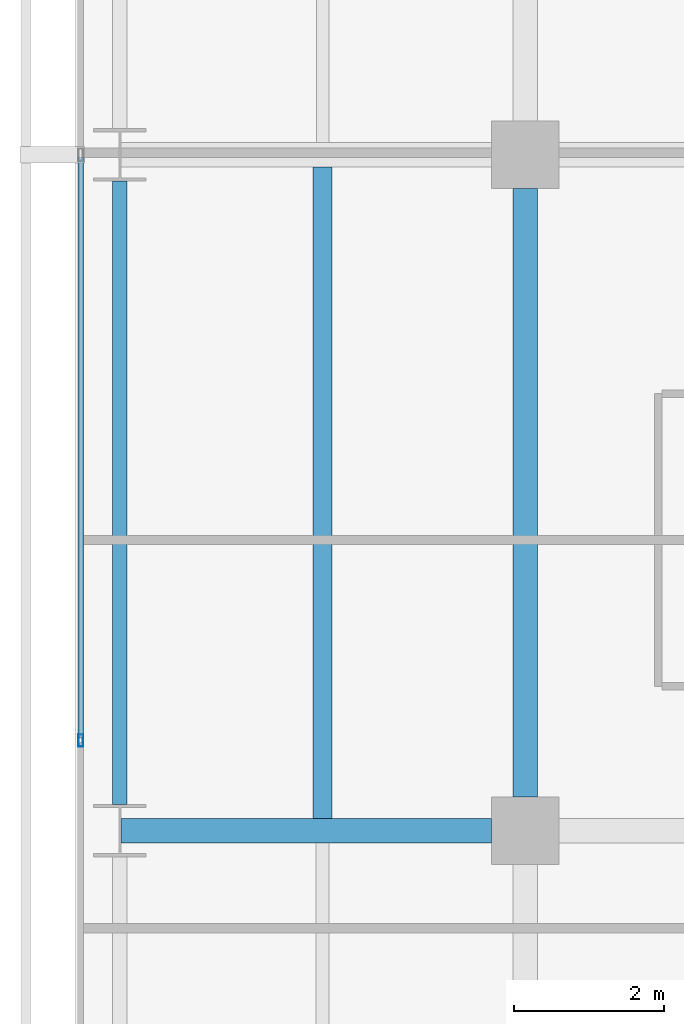
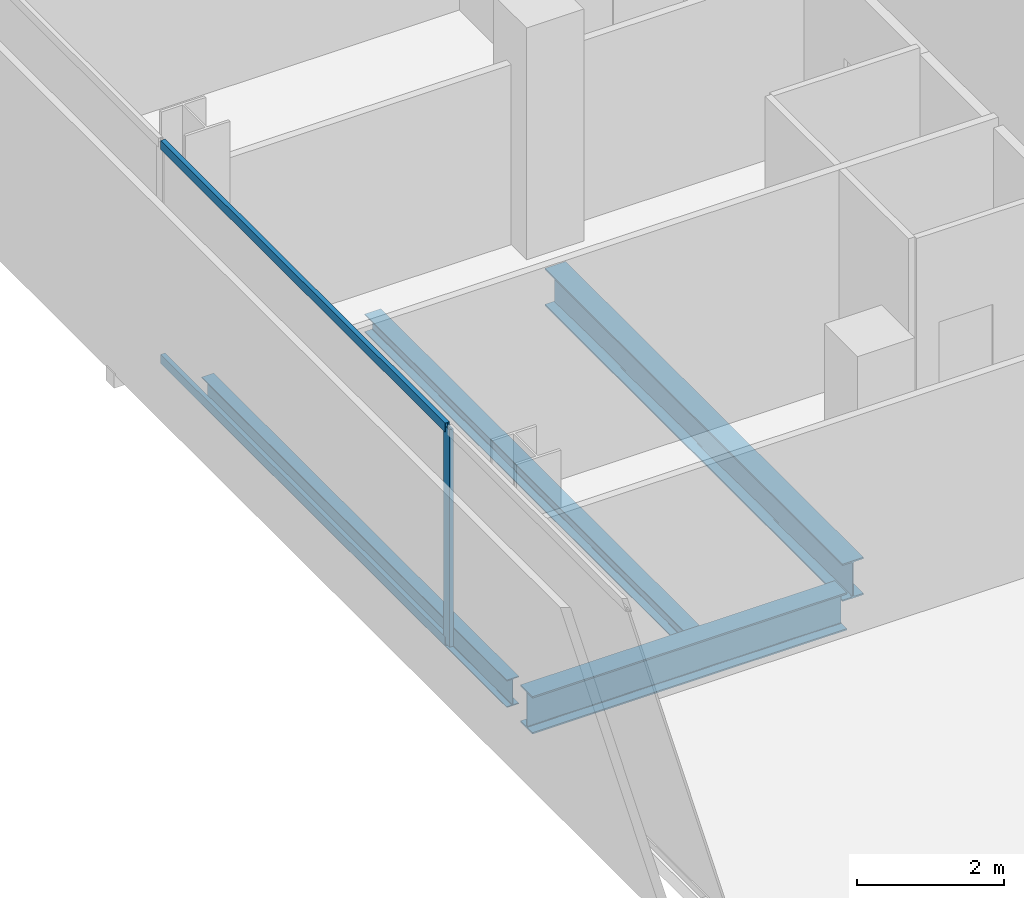
# One storey, part 10 of 40: 4 beams, 3 members, 1 element without a shape of its own.
"""IFC4 building model written with IfcOpenShell, lengths in metres."""

import ifcopenshell
import ifcopenshell.guid

model = None  # the IFC model being written
_history = None  # IfcOwnerHistory: only IFC2X3 demands one
_inside = {}  # id of a spatial element -> (the spatial element, [elements in it])
_under = {}  # id of a project, library or spatial element -> (it, [spatial elements below it])
_declared = {}  # id of a project -> (the project, [libraries it declares])
_typed = {}  # id of a type object -> (the type object, [elements of that type])
_made_of = {}  # id of a material, layer set ... -> (it, [elements and type objects made of it])


def new_model(schema):
    """Start an empty IFC model of exactly this schema.

    Asked for "IFC4X3", IfcOpenShell would pick the latest addendum, in which some entities
    have other attributes; the version numbers below select the first issue.
    IFC2X3 requires an IfcOwnerHistory on every rooted entity: one is made here for all.
    """
    global model, _history
    if schema == "IFC4X3":
        model = ifcopenshell.file(schema_version=(4, 3, 0, 0))
    else:
        model = ifcopenshell.file(schema=schema)
    _inside.clear()
    _under.clear()
    _declared.clear()
    _typed.clear()
    _made_of.clear()
    _history = None
    if model.schema == "IFC2X3":
        org = make("IfcOrganization", Name="unknown")
        user = make(
            "IfcPersonAndOrganization",
            ThePerson=make("IfcPerson", FamilyName="unknown"),
            TheOrganization=org,
        )
        app = make(
            "IfcApplication",
            ApplicationDeveloper=org,
            Version="unknown",
            ApplicationFullName="unknown",
            ApplicationIdentifier="unknown",
        )
        _history = make(
            "IfcOwnerHistory",
            OwningUser=user,
            OwningApplication=app,
            ChangeAction="ADDED",
            CreationDate=0,
        )
    return model


def make(cls, **values):
    """One entity of the class cls with the attributes given. An attribute that is None is left unset."""
    return model.create_entity(
        cls, **{name: value for name, value in values.items() if value is not None}
    )


def rooted(cls, **values):
    """An entity with a GlobalId (a new one), such as an element, a storey or a relation."""
    return make(cls, GlobalId=ifcopenshell.guid.new(), OwnerHistory=_history, **values)


def si_unit(unit_type, name, prefix=None):
    """IfcSIUnit, for example si_unit("LENGTHUNIT", "METRE", prefix="MILLI")."""
    return make("IfcSIUnit", UnitType=unit_type, Prefix=prefix, Name=name)


def assignment(units):
    """IfcUnitAssignment: the units of a project."""
    return None if units is None else make("IfcUnitAssignment", Units=units)


def point(xyz):
    """IfcCartesianPoint."""
    return None if xyz is None else make("IfcCartesianPoint", Coordinates=xyz)


def direction(xyz):
    """IfcDirection."""
    return None if xyz is None else make("IfcDirection", DirectionRatios=xyz)


def frame(location, z_axis=None, x_axis=None):
    """IfcAxis2Placement3D, a coordinate frame: its origin and axes. An axis left out is left unset."""
    return make(
        "IfcAxis2Placement3D",
        Location=point(location),
        Axis=direction(z_axis),
        RefDirection=direction(x_axis),
    )


def frame_2d(location, x_axis=None):
    """IfcAxis2Placement2D, a coordinate frame in the plane: its origin and x axis."""
    return make(
        "IfcAxis2Placement2D", Location=point(location), RefDirection=direction(x_axis)
    )


def origin():
    """The frame at (0, 0, 0) with its axes left unset."""
    return frame((0.0, 0.0, 0.0))


def origin_2d():
    """The frame at (0, 0) in the plane with its x axis left unset."""
    return frame_2d((0.0, 0.0))


def place(relative_to, where):
    """IfcLocalPlacement: puts the frame where relative to a parent placement (None: the world)."""
    return make(
        "IfcLocalPlacement", PlacementRelTo=relative_to, RelativePlacement=where
    )


def context(
    kind, dimensions, precision=None, world=None, true_north=None, identifier=None
):
    """IfcGeometricRepresentationContext, for example the 3D "Model" context."""
    return make(
        "IfcGeometricRepresentationContext",
        ContextIdentifier=identifier,
        ContextType=kind,
        CoordinateSpaceDimension=dimensions,
        Precision=precision,
        WorldCoordinateSystem=world,
        TrueNorth=true_north,
    )


def subcontext(parent, identifier, kind, view, scale=None):
    """IfcGeometricRepresentationSubContext, for example "Body" below "Model"."""
    return make(
        "IfcGeometricRepresentationSubContext",
        ContextIdentifier=identifier,
        ContextType=kind,
        ParentContext=parent,
        TargetScale=scale,
        TargetView=view,
    )


def project(units=None, contexts=None):
    """IfcProject with its units and contexts."""
    return rooted(
        "IfcProject",
        Name="project",
        RepresentationContexts=contexts,
        UnitsInContext=assignment(units),
    )


def spatial(cls, under=None, at=None, **own):
    """A site, building, storey or space (cls), placed at a placement, below another one or the project."""
    s = rooted(cls, ObjectPlacement=at, **own)
    if under is not None:
        _under.setdefault(under.id(), (under, []))[1].append(s)
    return s


def profile(cls, at=None, kind="AREA", **sizes):
    """A parametric profile (cls). Its sizes go by their IFC names, for example OverallWidth=200.0."""
    return make(cls, ProfileType=kind, Position=at, **sizes)


def hollow_rectangle(**sizes):
    """IfcRectangleHollowProfileDef."""
    return profile("IfcRectangleHollowProfileDef", **sizes)


def i_section(**sizes):
    """IfcIShapeProfileDef."""
    return profile("IfcIShapeProfileDef", **sizes)


def extrude(swept, where, along, depth):
    """IfcExtrudedAreaSolid: the profile swept, set in the frame where, extruded along a direction by depth."""
    return make(
        "IfcExtrudedAreaSolid",
        SweptArea=swept,
        Position=where,
        ExtrudedDirection=direction(along),
        Depth=depth,
    )


def shape(context_of_items, identifier, shape_type, items):
    """IfcShapeRepresentation: the items that make up one representation, for example the "Body"."""
    return make(
        "IfcShapeRepresentation",
        ContextOfItems=context_of_items,
        RepresentationIdentifier=identifier,
        RepresentationType=shape_type,
        Items=items,
    )


def material(Name=None, Category=None):
    """IfcMaterial."""
    return make("IfcMaterial", Name=Name, Category=Category)


def layer(
    of_material, thickness, ventilated=None, Name=None, Category=None, Priority=None
):
    """IfcMaterialLayer: one layer of a wall or slab, of a material (None: an air gap)."""
    return make(
        "IfcMaterialLayer",
        Material=of_material,
        LayerThickness=thickness,
        IsVentilated=ventilated,
        Name=Name,
        Category=Category,
        Priority=Priority,
    )


def layer_set(layers, Name=None):
    """IfcMaterialLayerSet."""
    return make("IfcMaterialLayerSet", MaterialLayers=layers, LayerSetName=Name)


def material_profile(
    of_material, cross_section, Name=None, Category=None, Priority=None
):
    """IfcMaterialProfile: a cross section and its material."""
    return make(
        "IfcMaterialProfile",
        Name=Name,
        Material=of_material,
        Profile=cross_section,
        Priority=Priority,
        Category=Category,
    )


def profile_set(profiles, Name=None, composite=None):
    """IfcMaterialProfileSet."""
    return make(
        "IfcMaterialProfileSet",
        Name=Name,
        MaterialProfiles=profiles,
        CompositeProfile=composite,
    )


def made_of(thing, what):
    """Note that an element or type object is made of a material, layer set ...; save() writes the relation."""
    if what is not None:
        _made_of.setdefault(what.id(), (what, []))[1].append(thing)
    return thing


def type_object(cls, material=None, **own):
    """A type object (cls), such as IfcWallType, which elements share."""
    return made_of(rooted(cls, **own), material)


def element(
    cls,
    number,
    at=None,
    inside=None,
    cuts=None,
    type_object=None,
    material=None,
    context=None,
    identifier="Body",
    shape_type=None,
    held_by="IfcProductDefinitionShape",
    body=None,
    shapes=None,
    **own,
):
    """One element of the class cls, such as IfcWall. Its Tag is "e" and its number.

    at: its placement. inside: the storey or other place that contains it. cuts: it is an
    opening in that element (IfcRelVoidsElement). A single representation is given by context,
    identifier, shape_type and body (its items); several are given by shapes. held_by: the class
    of the entity that holds the representations. save() writes the other relations.
    """
    e = rooted(cls, Tag="e%d" % number, ObjectPlacement=at, **own)
    if body is not None:
        shapes = [shape(context, identifier, shape_type, body)]
    if shapes is not None:
        e.Representation = make(held_by, Representations=shapes)
    if inside is not None:
        _inside.setdefault(inside.id(), (inside, []))[1].append(e)
    if cuts is not None:
        rooted(
            "IfcRelVoidsElement", RelatingBuildingElement=cuts, RelatedOpeningElement=e
        )
    if type_object is not None:
        _typed.setdefault(type_object.id(), (type_object, []))[1].append(e)
    return made_of(e, material)


def aggregate(whole, parts):
    """IfcRelAggregates: a whole, such as a stair, and the parts it consists of."""
    return rooted("IfcRelAggregates", RelatingObject=whole, RelatedObjects=parts)


def save(model, path):
    """Write the relations noted so far, then the file.

    IfcRelAggregates (storeys below a building ...), IfcRelContainedInSpatialStructure (elements
    in a storey), IfcRelDefinesByType, IfcRelAssociatesMaterial and IfcRelDeclares: one each for
    every whole, place, type object, material and project.
    """
    for whole, parts in _under.values():
        aggregate(whole, parts)
    for where, things in _inside.values():
        rooted(
            "IfcRelContainedInSpatialStructure",
            RelatedElements=things,
            RelatingStructure=where,
        )
    for kind, things in _typed.values():
        rooted("IfcRelDefinesByType", RelatedObjects=things, RelatingType=kind)
    for what, things in _made_of.values():
        rooted("IfcRelAssociatesMaterial", RelatedObjects=things, RelatingMaterial=what)
    for by, libraries in _declared.values():
        rooted("IfcRelDeclares", RelatingContext=by, RelatedDefinitions=libraries)
    model.write(path)


model = new_model("IFC4")

# Units and contexts
model_context = context("Model", 3, precision=1e-05, world=origin(), true_north=direction((0.0, 1.0)))
body_context = subcontext(model_context, "Body", "Model", "MODEL_VIEW")
ifc_project = project(units=[si_unit("LENGTHUNIT", "METRE"), si_unit("AREAUNIT", "SQUARE_METRE"), si_unit("VOLUMEUNIT", "CUBIC_METRE"), si_unit("PLANEANGLEUNIT", "RADIAN"), si_unit("MASSUNIT", "GRAM", prefix="KILO")], contexts=[model_context])

# Site, building, storey
site_placement = place(None, origin())
site = spatial("IfcSite", under=ifc_project, at=site_placement, CompositionType="ELEMENT")
building_placement = place(site_placement, origin())
building = spatial("IfcBuilding", under=site, at=building_placement, Name="Maruvema Waterfront Hotel and Observation Tower", CompositionType="ELEMENT")
storey_placement = place(building_placement, frame((0.0, 0.0, 50.050048828125)))
storey = spatial("IfcBuildingStorey", under=building, at=storey_placement, Name="L11", CompositionType="ELEMENT", Elevation=50.050048828125)

# Curtain wall, members
ifc_material_1 = material(Name="Anodised bronze aluminium and solar-control low-E IGU", Category="aluminium")
ifc_layer = layer(ifc_material_1, 0.159912109375, Name="Zone 1 Bronze Inner Thermal Curtain Wall System CW-02")
ifc_layer_set = layer_set([ifc_layer], Name="Anodised bronze aluminium and solar-control low-E IGU")
curtain_wall_type = type_object("IfcCurtainWallType", Name="Zone 1 Bronze Inner Thermal Curtain Wall System CW-02", PredefinedType="USERDEFINED", material=ifc_layer_set)
curtain_wall_placement = place(storey_placement, origin())
curtain_wall = element("IfcCurtainWall", 1, at=curtain_wall_placement, inside=storey, type_object=curtain_wall_type, Name="L11 Curtain Wall CW-L11-W", ObjectType="UNITISED CURTAIN WALL", PredefinedType="USERDEFINED")
ifc_material_2 = material(Name="Anodised architectural bronze aluminium", Category="aluminium")
ifc_material_profile_1 = material_profile(ifc_material_2, hollow_rectangle(XDim=0.070068359375, YDim=0.14990234375, WallThickness=0.00390625, at=origin_2d()), Name="ALU-T70x150")
ifc_profile_set_1 = profile_set([ifc_material_profile_1], Name="Anodised architectural bronze aluminium")
member_type_1 = type_object("IfcMemberType", Name="Curtain Wall Horizontal Transom ALU-T70x150", PredefinedType="USERDEFINED", material=ifc_profile_set_1)
member_1_placement = place(storey_placement, frame((10.8798828125, 26.969970703125, 0.030029296875), z_axis=(0.0, -1.0, 0.0), x_axis=(1.0, 0.0, 0.0)))
member_1 = element("IfcMember", 2, at=member_1_placement, type_object=member_type_1, Name="CW-02 transom 4.1", ObjectType="TRANSOM", PredefinedType="USERDEFINED", context=body_context, shape_type="SweptSolid", body=[
    extrude(hollow_rectangle(XDim=0.070068359375, YDim=0.14990234375, WallThickness=0.00390625, at=origin_2d()), origin(), (0.0, 0.0, 1.0), 7.739990234375),
])
member_2_placement = place(storey_placement, frame((10.8798828125, 26.969970703125, 3.579833984375), z_axis=(0.0, -1.0, 0.0), x_axis=(1.0, 0.0, 0.0)))
member_2 = element("IfcMember", 3, at=member_2_placement, type_object=member_type_1, Name="CW-02 transom 4.2", ObjectType="TRANSOM", PredefinedType="USERDEFINED", context=body_context, shape_type="SweptSolid", body=[
    extrude(hollow_rectangle(XDim=0.070068359375, YDim=0.14990234375, WallThickness=0.00390625, at=origin_2d()), origin(), (0.0, 0.0, 1.0), 7.739990234375),
])
ifc_material_3 = material(Name="Anodised architectural bronze aluminium", Category="aluminium")
ifc_material_profile_2 = material_profile(ifc_material_3, hollow_rectangle(XDim=0.06494140625, YDim=0.1650390625, WallThickness=0.00390625, at=origin_2d()), Name="ALU-M65x165")
ifc_profile_set_2 = profile_set([ifc_material_profile_2], Name="Anodised architectural bronze aluminium")
member_type_2 = type_object("IfcMemberType", Name="Curtain Wall Primary Mullion ALU-M65x165", PredefinedType="MULLION", material=ifc_profile_set_2)
member_3_placement = place(storey_placement, frame((10.8798828125, 19.199951171875, 0.0), z_axis=(0.0, 0.0, 1.0), x_axis=(1.0, 0.0, 0.0)))
member_3 = element("IfcMember", 4, at=member_3_placement, type_object=member_type_2, Name="CW-02 mullion 5", PredefinedType="MULLION", context=body_context, shape_type="SweptSolid", body=[
    extrude(hollow_rectangle(XDim=0.06494140625, YDim=0.1650390625, WallThickness=0.00390625, at=origin_2d()), origin(), (0.0, 0.0, 1.0), 3.60986328125),
])
aggregate(curtain_wall, [member_3, member_1, member_2])

# Beams
ifc_material_4 = material(Name="Steel ASTM A572 Grade 50", Category="steel")
ifc_material_profile_3 = material_profile(ifc_material_4, i_section(OverallWidth=0.18994140625, OverallDepth=0.45703125, WebThickness=0.009033203125, FlangeThickness=0.014404296875, FilletRadius=0.014892578125, at=origin_2d()), Name="W460x74.0")
ifc_profile_set_3 = profile_set([ifc_material_profile_3], Name="Steel ASTM A572 Grade 50")
beam_type_1 = type_object("IfcBeamType", Name="Perimeter Spandrel Beam W460x74.0", PredefinedType="SPANDREL", material=ifc_profile_set_3)
beam_1_placement = place(storey_placement, frame((11.39990234375, 18.35009765625, -0.468505859375), z_axis=(0.0, 1.0, 0.0), x_axis=(-1.0, 0.0, 0.0)))
element("IfcBeam", 5, at=beam_1_placement, inside=storey, type_object=beam_type_1, Name="L11 Floor Girder NS-02", PredefinedType="SPANDREL", context=body_context, shape_type="SweptSolid", body=[
    extrude(i_section(OverallWidth=0.18994140625, OverallDepth=0.45703125, WebThickness=0.009033203125, FlangeThickness=0.014404296875, FilletRadius=0.014892578125, at=origin_2d()), origin(), (0.0, 0.0, 1.0), 8.2998046875),
])
ifc_material_5 = material(Name="Steel ASTM A572 Grade 50", Category="steel")
ifc_material_profile_4 = material_profile(ifc_material_5, i_section(OverallWidth=0.326904296875, OverallDepth=0.6220703125, WebThickness=0.015380859375, FlangeThickness=0.0244140625, FilletRadius=0.01806640625, at=origin_2d()), Name="W610x195.0")
ifc_profile_set_4 = profile_set([ifc_material_profile_4], Name="Steel ASTM A572 Grade 50")
beam_type_2 = type_object("IfcBeamType", Name="Primary Floor Girder W610x195.0", PredefinedType="BEAM", material=ifc_profile_set_4)
beam_2_placement = place(storey_placement, frame((11.4140625, 18.0, -0.551025390625), z_axis=(1.0, 0.0, 0.0), x_axis=(0.0, 1.0, 0.0)))
element("IfcBeam", 6, at=beam_2_placement, inside=storey, type_object=beam_type_2, Name="L11 Floor Girder EW-13", PredefinedType="BEAM", context=body_context, shape_type="SweptSolid", body=[
    extrude(i_section(OverallWidth=0.326904296875, OverallDepth=0.6220703125, WebThickness=0.015380859375, FlangeThickness=0.0244140625, FilletRadius=0.01806640625, at=origin_2d()), origin(), (0.0, 0.0, 1.0), 4.93603515625),
])
beam_3_placement = place(storey_placement, frame((16.800048828125, 18.449951171875, -0.551025390625), z_axis=(0.0, 1.0, 0.0), x_axis=(-1.0, 0.0, 0.0)))
element("IfcBeam", 7, at=beam_3_placement, inside=storey, type_object=beam_type_2, Name="L11 Floor Girder NS-07", PredefinedType="BEAM", context=body_context, shape_type="SweptSolid", body=[
    extrude(i_section(OverallWidth=0.326904296875, OverallDepth=0.6220703125, WebThickness=0.015380859375, FlangeThickness=0.0244140625, FilletRadius=0.01806640625, at=origin_2d()), origin(), (0.0, 0.0, 1.0), 8.10009765625),
])
ifc_material_6 = material(Name="Steel ASTM A572 Grade 50", Category="steel")
ifc_material_profile_5 = material_profile(ifc_material_6, i_section(OverallWidth=0.25390625, OverallDepth=0.305908203125, WebThickness=0.0087890625, FlangeThickness=0.0146484375, FilletRadius=0.014892578125, at=origin_2d()), Name="W310x79.0")
ifc_profile_set_5 = profile_set([ifc_material_profile_5], Name="Steel ASTM A572 Grade 50")
beam_type_3 = type_object("IfcBeamType", Name="Secondary Floor Joist W310x79.0", PredefinedType="JOIST", material=ifc_profile_set_5)
beam_4_placement = place(storey_placement, frame((14.10009765625, 18.16357421875, -0.39306640625), z_axis=(0.0, 1.0, 0.0), x_axis=(-1.0, 0.0, 0.0)))
element("IfcBeam", 8, at=beam_4_placement, inside=storey, type_object=beam_type_3, Name="L11 Secondary Floor Joist JS-02", PredefinedType="JOIST", context=body_context, shape_type="SweptSolid", body=[
    extrude(i_section(OverallWidth=0.25390625, OverallDepth=0.305908203125, WebThickness=0.0087890625, FlangeThickness=0.0146484375, FilletRadius=0.014892578125, at=origin_2d()), origin(), (0.0, 0.0, 1.0), 8.6728515625),
])

save(model, "model.ifc")
